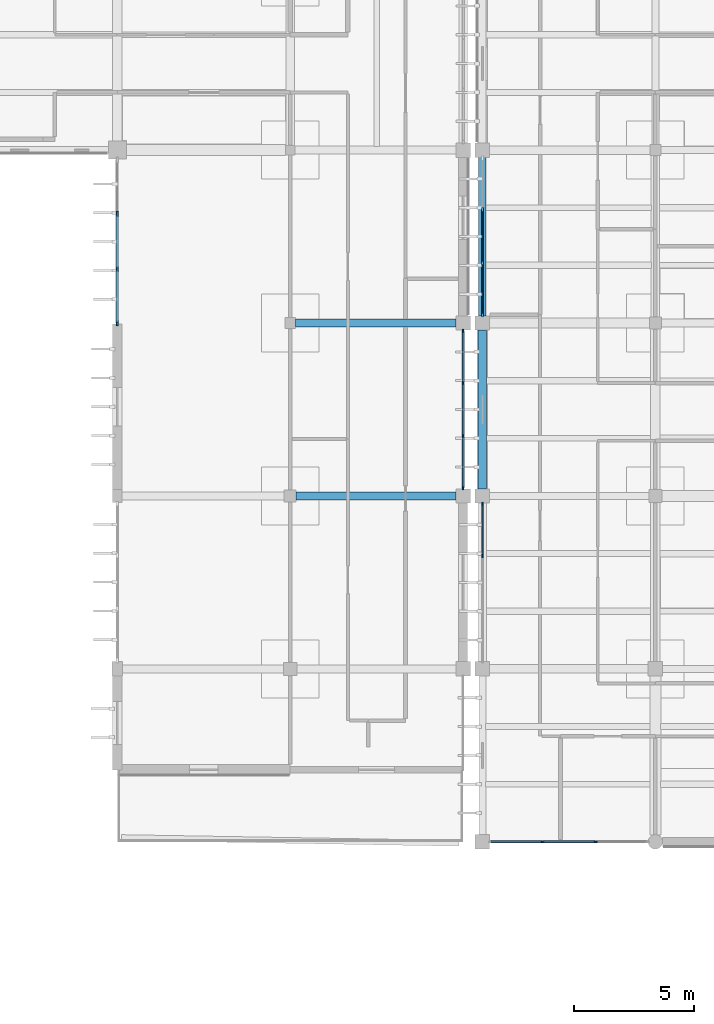
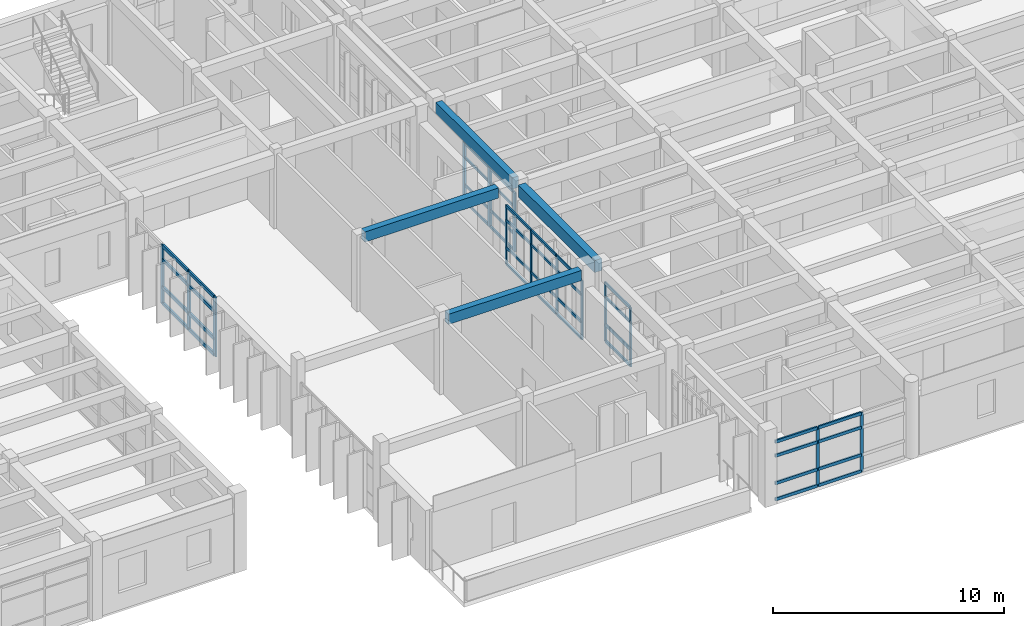
# One storey, part 10 of 55: 54 members, 4 beams, 5 elements without a shape of their own.
"""IFC4 building model written with IfcOpenShell, lengths in metres."""

from ifc_helpers import new_model, si_unit, direction, frame, origin, origin_2d, place, context, subcontext, project, spatial, rectangle, extrude, material, material_profile, profile_set, type_object, element, aggregate, save


model = new_model("IFC4")

# Units and contexts
model_context = context("Model", 3, precision=1e-05, world=origin(), true_north=direction((0.0, 1.0)))
body_context = subcontext(model_context, "Body", "Model", "MODEL_VIEW")
ifc_project = project(units=[si_unit("LENGTHUNIT", "METRE"), si_unit("AREAUNIT", "SQUARE_METRE"), si_unit("VOLUMEUNIT", "CUBIC_METRE"), si_unit("PLANEANGLEUNIT", "RADIAN"), si_unit("MASSUNIT", "GRAM", prefix="KILO")], contexts=[model_context])

# Site, building, storey
site_placement = place(None, origin())
site = spatial("IfcSite", under=ifc_project, at=site_placement, CompositionType="ELEMENT")
building_placement = place(site_placement, origin())
building = spatial("IfcBuilding", under=site, at=building_placement, Name="Steenspoor Specialist Clinic", CompositionType="ELEMENT")
storey_placement = place(building_placement, frame((0.0, 0.0, 13.199951171875)))
storey = spatial("IfcBuildingStorey", under=building, at=storey_placement, Name="L03", CompositionType="ELEMENT", Elevation=13.199951171875)

# Curtain wall, members
ifc_material_1 = material(Name="Thermally broken aluminium and low-emissivity glass", Category="aluminium")
curtain_wall_type_1 = type_object("IfcCurtainWallType", Name="CW-L00-660X415", PredefinedType="USERDEFINED", material=ifc_material_1)
curtain_wall_1_placement = place(storey_placement, origin())
curtain_wall_1 = element("IfcCurtainWall", 1, at=curtain_wall_1_placement, inside=storey, type_object=curtain_wall_type_1, Name="Unitised Curtain Wall CW-V6-L03-196", ObjectType="UNITISED GLAZING", PredefinedType="USERDEFINED")
ifc_material_2 = material(Name="Thermally broken aluminium 6063-T6", Category="aluminium")
ifc_material_profile_1 = material_profile(ifc_material_2, rectangle(XDim=0.06005859375, YDim=0.135009765625, at=origin_2d()), Name="CWM-60X135")
ifc_profile_set_1 = profile_set([ifc_material_profile_1], Name="Thermally broken aluminium 6063-T6")
member_type_1 = type_object("IfcMemberType", Name="CW-MULL-60X135", PredefinedType="MULLION", material=ifc_profile_set_1)
member_1_placement = place(storey_placement, frame((118.0, 77.050048828125, 0.0), z_axis=(0.0, 0.0, 1.0), x_axis=(-1.0, 0.0, 0.0)))
member_1 = element("IfcMember", 2, at=member_1_placement, type_object=member_type_1, Name="CW-04 mullion 3", PredefinedType="MULLION", context=body_context, shape_type="SweptSolid", body=[
    extrude(rectangle(XDim=0.06005859375, YDim=0.135009765625, at=origin_2d()), origin(), (0.0, 0.0, 1.0), 3.130126953125),
])
member_2_placement = place(storey_placement, frame((118.0, 79.219970703125, 0.0), z_axis=(0.0, 0.0, 1.0), x_axis=(-1.0, 0.0, 0.0)))
member_2 = element("IfcMember", 3, at=member_2_placement, type_object=member_type_1, Name="CW-04 mullion 4", PredefinedType="MULLION", context=body_context, shape_type="SweptSolid", body=[
    extrude(rectangle(XDim=0.06005859375, YDim=0.135009765625, at=origin_2d()), origin(), (0.0, 0.0, 1.0), 3.130126953125),
])

curtain_wall_type_2 = type_object("IfcCurtainWallType", Name="CW-TYP-300X355", PredefinedType="USERDEFINED", material=ifc_material_1)
curtain_wall_2_placement = place(storey_placement, origin())
curtain_wall_2 = element("IfcCurtainWall", 4, at=curtain_wall_2_placement, inside=storey, type_object=curtain_wall_type_2, Name="Unitised Curtain Wall CW-V4-L03-111", ObjectType="UNITISED GLAZING", PredefinedType="USERDEFINED")
ifc_material_profile_2 = material_profile(ifc_material_2, rectangle(XDim=0.06494140625, YDim=0.14990234375, at=origin_2d()), Name="CWM-65X150")
ifc_profile_set_2 = profile_set([ifc_material_profile_2], Name="Thermally broken aluminium 6063-T6")
member_type_2 = type_object("IfcMemberType", Name="CW-MULL-65X150", PredefinedType="MULLION", material=ifc_profile_set_2)
member_3_placement = place(storey_placement, frame((117.199951171875, 86.41748046875, 0.0), z_axis=(0.0, 0.0, 1.0), x_axis=(1.0, 0.0, 0.0)))
member_3 = element("IfcMember", 5, at=member_3_placement, type_object=member_type_2, Name="CW-15 mullion 1", PredefinedType="MULLION", context=body_context, shape_type="SweptSolid", body=[
    extrude(rectangle(XDim=0.06494140625, YDim=0.14990234375, at=origin_2d()), origin(), (0.0, 0.0, 1.0), 3.130126953125),
])
member_4_placement = place(storey_placement, frame((117.199951171875, 84.25, 0.0), z_axis=(0.0, 0.0, 1.0), x_axis=(1.0, 0.0, 0.0)))
member_4 = element("IfcMember", 6, at=member_4_placement, type_object=member_type_2, Name="CW-15 mullion 2", PredefinedType="MULLION", context=body_context, shape_type="SweptSolid", body=[
    extrude(rectangle(XDim=0.06494140625, YDim=0.14990234375, at=origin_2d()), origin(), (0.0, 0.0, 1.0), 3.130126953125),
])
member_5_placement = place(storey_placement, frame((117.199951171875, 82.050048828125, 0.0), z_axis=(0.0, 0.0, 1.0), x_axis=(1.0, 0.0, 0.0)))
member_5 = element("IfcMember", 7, at=member_5_placement, type_object=member_type_2, Name="CW-15 mullion 3", PredefinedType="MULLION", context=body_context, shape_type="SweptSolid", body=[
    extrude(rectangle(XDim=0.06494140625, YDim=0.14990234375, at=origin_2d()), origin(), (0.0, 0.0, 1.0), 3.130126953125),
])
member_6_placement = place(storey_placement, frame((117.199951171875, 79.882568359375, 0.0), z_axis=(0.0, 0.0, 1.0), x_axis=(1.0, 0.0, 0.0)))
member_6 = element("IfcMember", 8, at=member_6_placement, type_object=member_type_2, Name="CW-15 mullion 4", PredefinedType="MULLION", context=body_context, shape_type="SweptSolid", body=[
    extrude(rectangle(XDim=0.06494140625, YDim=0.14990234375, at=origin_2d()), origin(), (0.0, 0.0, 1.0), 3.130126953125),
])

curtain_wall_type_3 = type_object("IfcCurtainWallType", Name="CW-HALL-480X820", PredefinedType="USERDEFINED", material=ifc_material_1)
curtain_wall_3_placement = place(storey_placement, origin())
curtain_wall_3 = element("IfcCurtainWall", 9, at=curtain_wall_3_placement, inside=storey, type_object=curtain_wall_type_3, Name="Unitised Curtain Wall CW-V6-L03-195", ObjectType="UNITISED GLAZING", PredefinedType="USERDEFINED")
member_7_placement = place(storey_placement, frame((122.699951171875, 65.14990234375, 0.0), z_axis=(0.0, 0.0, 1.0), x_axis=(0.0, -1.0, 0.0)))
member_7 = element("IfcMember", 10, at=member_7_placement, type_object=member_type_2, Name="CW-03 mullion 2", PredefinedType="MULLION", context=body_context, shape_type="SweptSolid", body=[
    extrude(rectangle(XDim=0.06494140625, YDim=0.14990234375, at=origin_2d()), origin(), (0.0, 0.0, 1.0), 3.130126953125),
])
member_8_placement = place(storey_placement, frame((120.5, 65.14990234375, 0.0), z_axis=(0.0, 0.0, 1.0), x_axis=(0.0, -1.0, 0.0)))
member_8 = element("IfcMember", 11, at=member_8_placement, type_object=member_type_2, Name="CW-03 mullion 3", PredefinedType="MULLION", context=body_context, shape_type="SweptSolid", body=[
    extrude(rectangle(XDim=0.06494140625, YDim=0.14990234375, at=origin_2d()), origin(), (0.0, 0.0, 1.0), 3.130126953125),
])

curtain_wall_type_4 = type_object("IfcCurtainWallType", Name="CW-SCR-480X320", PredefinedType="USERDEFINED", material=ifc_material_1)
curtain_wall_4_placement = place(storey_placement, origin())
curtain_wall_4 = element("IfcCurtainWall", 12, at=curtain_wall_4_placement, inside=storey, type_object=curtain_wall_type_4, Name="Unitised Curtain Wall CW-V4-L03-114", ObjectType="UNITISED GLAZING", PredefinedType="USERDEFINED")
ifc_material_profile_3 = material_profile(ifc_material_2, rectangle(XDim=0.080078125, YDim=0.219970703125, at=origin_2d()), Name="CWM-80X220")
ifc_profile_set_3 = profile_set([ifc_material_profile_3], Name="Thermally broken aluminium 6063-T6")
member_type_3 = type_object("IfcMemberType", Name="CW-MULL-80X220", PredefinedType="MULLION", material=ifc_profile_set_3)
member_9_placement = place(storey_placement, frame((102.800048828125, 86.739990234375, 0.0), z_axis=(0.0, 0.0, 1.0), x_axis=(-1.0, 0.0, 0.0)))
member_9 = element("IfcMember", 13, at=member_9_placement, type_object=member_type_3, Name="CW-18 mullion 1", PredefinedType="MULLION", context=body_context, shape_type="SweptSolid", body=[
    extrude(rectangle(XDim=0.080078125, YDim=0.219970703125, at=origin_2d()), origin(), (0.0, 0.0, 1.0), 3.130126953125),
])
member_10_placement = place(storey_placement, frame((102.800048828125, 88.99169921875, 0.0), z_axis=(0.0, 0.0, 1.0), x_axis=(-1.0, 0.0, 0.0)))
member_10 = element("IfcMember", 14, at=member_10_placement, type_object=member_type_3, Name="CW-18 mullion 2", PredefinedType="MULLION", context=body_context, shape_type="SweptSolid", body=[
    extrude(rectangle(XDim=0.080078125, YDim=0.219970703125, at=origin_2d()), origin(), (0.0, 0.0, 1.0), 3.130126953125),
])
member_11_placement = place(storey_placement, frame((102.800048828125, 91.283447265625, 0.0), z_axis=(0.0, 0.0, 1.0), x_axis=(-1.0, 0.0, 0.0)))
member_11 = element("IfcMember", 15, at=member_11_placement, type_object=member_type_3, Name="CW-18 mullion 3", PredefinedType="MULLION", context=body_context, shape_type="SweptSolid", body=[
    extrude(rectangle(XDim=0.080078125, YDim=0.219970703125, at=origin_2d()), origin(), (0.0, 0.0, 1.0), 3.130126953125),
])

curtain_wall_type_5 = type_object("IfcCurtainWallType", Name="CW-L00-650X415", PredefinedType="USERDEFINED", material=ifc_material_1)
curtain_wall_5_placement = place(storey_placement, origin())
curtain_wall_5 = element("IfcCurtainWall", 16, at=curtain_wall_5_placement, inside=storey, type_object=curtain_wall_type_5, Name="Unitised Curtain Wall CW-V6-L03-197", ObjectType="UNITISED GLAZING", PredefinedType="USERDEFINED")
ifc_material_profile_4 = material_profile(ifc_material_2, rectangle(XDim=0.090087890625, YDim=0.199951171875, at=origin_2d()), Name="CWM-90X200")
ifc_profile_set_4 = profile_set([ifc_material_profile_4], Name="Thermally broken aluminium 6063-T6")
member_type_4 = type_object("IfcMemberType", Name="CW-MULL-90X200", PredefinedType="MULLION", material=ifc_profile_set_4)
member_12_placement = place(storey_placement, frame((118.0, 87.094970703125, 0.0), z_axis=(0.0, 0.0, 1.0), x_axis=(-1.0, 0.0, 0.0)))
member_12 = element("IfcMember", 17, at=member_12_placement, type_object=member_type_4, Name="CW-05 mullion 1", PredefinedType="MULLION", context=body_context, shape_type="SweptSolid", body=[
    extrude(rectangle(XDim=0.090087890625, YDim=0.199951171875, at=origin_2d()), origin(), (0.0, 0.0, 1.0), 3.130126953125),
])
member_13_placement = place(storey_placement, frame((118.0, 89.25, 0.0), z_axis=(0.0, 0.0, 1.0), x_axis=(-1.0, 0.0, 0.0)))
member_13 = element("IfcMember", 18, at=member_13_placement, type_object=member_type_4, Name="CW-05 mullion 2", PredefinedType="MULLION", context=body_context, shape_type="SweptSolid", body=[
    extrude(rectangle(XDim=0.090087890625, YDim=0.199951171875, at=origin_2d()), origin(), (0.0, 0.0, 1.0), 3.130126953125),
])
member_14_placement = place(storey_placement, frame((118.0, 91.449951171875, 0.0), z_axis=(0.0, 0.0, 1.0), x_axis=(-1.0, 0.0, 0.0)))
member_14 = element("IfcMember", 19, at=member_14_placement, type_object=member_type_4, Name="CW-05 mullion 3", PredefinedType="MULLION", context=body_context, shape_type="SweptSolid", body=[
    extrude(rectangle(XDim=0.090087890625, YDim=0.199951171875, at=origin_2d()), origin(), (0.0, 0.0, 1.0), 3.130126953125),
])
ifc_material_profile_5 = material_profile(ifc_material_2, rectangle(XDim=0.06494140625, YDim=0.1298828125, at=origin_2d()), Name="CWT-65X130")
ifc_profile_set_5 = profile_set([ifc_material_profile_5], Name="Thermally broken aluminium 6063-T6")
member_type_5 = type_object("IfcMemberType", Name="CW-TRAN-65X130", PredefinedType="USERDEFINED", material=ifc_profile_set_5)
member_15_placement = place(storey_placement, frame((118.0, 87.139892578125, 0.032470703125), z_axis=(0.0, 1.0, 0.0), x_axis=(-1.0, 0.0, 0.0)))
member_15 = element("IfcMember", 20, at=member_15_placement, type_object=member_type_5, Name="CW-05 transom 1.1", ObjectType="TRANSOM", PredefinedType="USERDEFINED", context=body_context, shape_type="SweptSolid", body=[
    extrude(rectangle(XDim=0.06494140625, YDim=0.1298828125, at=origin_2d()), origin(), (0.0, 0.0, 1.0), 2.065185546875),
])
member_16_placement = place(storey_placement, frame((118.0, 87.139892578125, 0.900146484375), z_axis=(0.0, 1.0, 0.0), x_axis=(-1.0, 0.0, 0.0)))
member_16 = element("IfcMember", 21, at=member_16_placement, type_object=member_type_5, Name="CW-05 transom 1.2", ObjectType="TRANSOM", PredefinedType="USERDEFINED", context=body_context, shape_type="SweptSolid", body=[
    extrude(rectangle(XDim=0.06494140625, YDim=0.1298828125, at=origin_2d()), origin(), (0.0, 0.0, 1.0), 2.065185546875),
])
member_17_placement = place(storey_placement, frame((118.0, 87.139892578125, 2.35009765625), z_axis=(0.0, 1.0, 0.0), x_axis=(-1.0, 0.0, 0.0)))
member_17 = element("IfcMember", 22, at=member_17_placement, type_object=member_type_5, Name="CW-05 transom 1.3", ObjectType="TRANSOM", PredefinedType="USERDEFINED", context=body_context, shape_type="SweptSolid", body=[
    extrude(rectangle(XDim=0.06494140625, YDim=0.1298828125, at=origin_2d()), origin(), (0.0, 0.0, 1.0), 2.065185546875),
])
member_18_placement = place(storey_placement, frame((118.0, 87.139892578125, 3.09765625), z_axis=(0.0, 1.0, 0.0), x_axis=(-1.0, 0.0, 0.0)))
member_18 = element("IfcMember", 23, at=member_18_placement, type_object=member_type_5, Name="CW-05 transom 1.4", ObjectType="TRANSOM", PredefinedType="USERDEFINED", context=body_context, shape_type="SweptSolid", body=[
    extrude(rectangle(XDim=0.06494140625, YDim=0.1298828125, at=origin_2d()), origin(), (0.0, 0.0, 1.0), 2.065185546875),
])
member_19_placement = place(storey_placement, frame((118.0, 89.294921875, 0.032470703125), z_axis=(0.0, 1.0, 0.0), x_axis=(-1.0, 0.0, 0.0)))
member_19 = element("IfcMember", 24, at=member_19_placement, type_object=member_type_5, Name="CW-05 transom 2.1", ObjectType="TRANSOM", PredefinedType="USERDEFINED", context=body_context, shape_type="SweptSolid", body=[
    extrude(rectangle(XDim=0.06494140625, YDim=0.1298828125, at=origin_2d()), origin(), (0.0, 0.0, 1.0), 2.110107421875),
])
member_20_placement = place(storey_placement, frame((118.0, 89.294921875, 0.900146484375), z_axis=(0.0, 1.0, 0.0), x_axis=(-1.0, 0.0, 0.0)))
member_20 = element("IfcMember", 25, at=member_20_placement, type_object=member_type_5, Name="CW-05 transom 2.2", ObjectType="TRANSOM", PredefinedType="USERDEFINED", context=body_context, shape_type="SweptSolid", body=[
    extrude(rectangle(XDim=0.06494140625, YDim=0.1298828125, at=origin_2d()), origin(), (0.0, 0.0, 1.0), 2.110107421875),
])
member_21_placement = place(storey_placement, frame((118.0, 89.294921875, 2.35009765625), z_axis=(0.0, 1.0, 0.0), x_axis=(-1.0, 0.0, 0.0)))
member_21 = element("IfcMember", 26, at=member_21_placement, type_object=member_type_5, Name="CW-05 transom 2.3", ObjectType="TRANSOM", PredefinedType="USERDEFINED", context=body_context, shape_type="SweptSolid", body=[
    extrude(rectangle(XDim=0.06494140625, YDim=0.1298828125, at=origin_2d()), origin(), (0.0, 0.0, 1.0), 2.110107421875),
])
member_22_placement = place(storey_placement, frame((118.0, 89.294921875, 3.09765625), z_axis=(0.0, 1.0, 0.0), x_axis=(-1.0, 0.0, 0.0)))
member_22 = element("IfcMember", 27, at=member_22_placement, type_object=member_type_5, Name="CW-05 transom 2.4", ObjectType="TRANSOM", PredefinedType="USERDEFINED", context=body_context, shape_type="SweptSolid", body=[
    extrude(rectangle(XDim=0.06494140625, YDim=0.1298828125, at=origin_2d()), origin(), (0.0, 0.0, 1.0), 2.110107421875),
])
aggregate(curtain_wall_5, [member_12, member_13, member_14, member_15, member_16, member_17, member_18, member_19, member_20, member_21, member_22])

# Member
ifc_material_profile_6 = material_profile(ifc_material_2, rectangle(XDim=0.070068359375, YDim=0.14501953125, at=origin_2d()), Name="CWT-70X145")
ifc_profile_set_6 = profile_set([ifc_material_profile_6], Name="Thermally broken aluminium 6063-T6")
member_type_6 = type_object("IfcMemberType", Name="CW-TRAN-70X145", PredefinedType="USERDEFINED", material=ifc_profile_set_6)
member_23_placement = place(storey_placement, frame((117.199951171875, 86.385009765625, 0.03515625), z_axis=(0.0, -1.0, 0.0), x_axis=(1.0, 0.0, 0.0)))
member_23 = element("IfcMember", 28, at=member_23_placement, type_object=member_type_6, Name="CW-15 transom 1.1", ObjectType="TRANSOM", PredefinedType="USERDEFINED", context=body_context, shape_type="SweptSolid", body=[
    extrude(rectangle(XDim=0.070068359375, YDim=0.14501953125, at=origin_2d()), origin(), (0.0, 0.0, 1.0), 2.1025390625),
])

member_24_placement = place(storey_placement, frame((117.199951171875, 86.385009765625, 0.900146484375), z_axis=(0.0, -1.0, 0.0), x_axis=(1.0, 0.0, 0.0)))
member_24 = element("IfcMember", 29, at=member_24_placement, type_object=member_type_6, Name="CW-15 transom 1.2", ObjectType="TRANSOM", PredefinedType="USERDEFINED", context=body_context, shape_type="SweptSolid", body=[
    extrude(rectangle(XDim=0.070068359375, YDim=0.14501953125, at=origin_2d()), origin(), (0.0, 0.0, 1.0), 2.1025390625),
])

member_25_placement = place(storey_placement, frame((117.199951171875, 86.385009765625, 2.35009765625), z_axis=(0.0, -1.0, 0.0), x_axis=(1.0, 0.0, 0.0)))
member_25 = element("IfcMember", 30, at=member_25_placement, type_object=member_type_6, Name="CW-15 transom 1.3", ObjectType="TRANSOM", PredefinedType="USERDEFINED", context=body_context, shape_type="SweptSolid", body=[
    extrude(rectangle(XDim=0.070068359375, YDim=0.14501953125, at=origin_2d()), origin(), (0.0, 0.0, 1.0), 2.1025390625),
])

member_26_placement = place(storey_placement, frame((117.199951171875, 86.385009765625, 3.094970703125), z_axis=(0.0, -1.0, 0.0), x_axis=(1.0, 0.0, 0.0)))
member_26 = element("IfcMember", 31, at=member_26_placement, type_object=member_type_6, Name="CW-15 transom 1.4", ObjectType="TRANSOM", PredefinedType="USERDEFINED", context=body_context, shape_type="SweptSolid", body=[
    extrude(rectangle(XDim=0.070068359375, YDim=0.14501953125, at=origin_2d()), origin(), (0.0, 0.0, 1.0), 2.1025390625),
])

member_27_placement = place(storey_placement, frame((117.199951171875, 84.217529296875, 0.03515625), z_axis=(0.0, -1.0, 0.0), x_axis=(1.0, 0.0, 0.0)))
member_27 = element("IfcMember", 32, at=member_27_placement, type_object=member_type_6, Name="CW-15 transom 2.1", ObjectType="TRANSOM", PredefinedType="USERDEFINED", context=body_context, shape_type="SweptSolid", body=[
    extrude(rectangle(XDim=0.070068359375, YDim=0.14501953125, at=origin_2d()), origin(), (0.0, 0.0, 1.0), 2.135009765625),
])

member_28_placement = place(storey_placement, frame((117.199951171875, 84.217529296875, 0.900146484375), z_axis=(0.0, -1.0, 0.0), x_axis=(1.0, 0.0, 0.0)))
member_28 = element("IfcMember", 33, at=member_28_placement, type_object=member_type_6, Name="CW-15 transom 2.2", ObjectType="TRANSOM", PredefinedType="USERDEFINED", context=body_context, shape_type="SweptSolid", body=[
    extrude(rectangle(XDim=0.070068359375, YDim=0.14501953125, at=origin_2d()), origin(), (0.0, 0.0, 1.0), 2.135009765625),
])

member_29_placement = place(storey_placement, frame((117.199951171875, 84.217529296875, 2.35009765625), z_axis=(0.0, -1.0, 0.0), x_axis=(1.0, 0.0, 0.0)))
member_29 = element("IfcMember", 34, at=member_29_placement, type_object=member_type_6, Name="CW-15 transom 2.3", ObjectType="TRANSOM", PredefinedType="USERDEFINED", context=body_context, shape_type="SweptSolid", body=[
    extrude(rectangle(XDim=0.070068359375, YDim=0.14501953125, at=origin_2d()), origin(), (0.0, 0.0, 1.0), 2.135009765625),
])

member_30_placement = place(storey_placement, frame((117.199951171875, 84.217529296875, 3.094970703125), z_axis=(0.0, -1.0, 0.0), x_axis=(1.0, 0.0, 0.0)))
member_30 = element("IfcMember", 35, at=member_30_placement, type_object=member_type_6, Name="CW-15 transom 2.4", ObjectType="TRANSOM", PredefinedType="USERDEFINED", context=body_context, shape_type="SweptSolid", body=[
    extrude(rectangle(XDim=0.070068359375, YDim=0.14501953125, at=origin_2d()), origin(), (0.0, 0.0, 1.0), 2.135009765625),
])

member_31_placement = place(storey_placement, frame((117.199951171875, 82.017578125, 0.03515625), z_axis=(0.0, -1.0, 0.0), x_axis=(1.0, 0.0, 0.0)))
member_31 = element("IfcMember", 36, at=member_31_placement, type_object=member_type_6, Name="CW-15 transom 3.1", ObjectType="TRANSOM", PredefinedType="USERDEFINED", context=body_context, shape_type="SweptSolid", body=[
    extrude(rectangle(XDim=0.070068359375, YDim=0.14501953125, at=origin_2d()), origin(), (0.0, 0.0, 1.0), 2.1025390625),
])

member_32_placement = place(storey_placement, frame((117.199951171875, 82.017578125, 0.900146484375), z_axis=(0.0, -1.0, 0.0), x_axis=(1.0, 0.0, 0.0)))
member_32 = element("IfcMember", 37, at=member_32_placement, type_object=member_type_6, Name="CW-15 transom 3.2", ObjectType="TRANSOM", PredefinedType="USERDEFINED", context=body_context, shape_type="SweptSolid", body=[
    extrude(rectangle(XDim=0.070068359375, YDim=0.14501953125, at=origin_2d()), origin(), (0.0, 0.0, 1.0), 2.1025390625),
])

member_33_placement = place(storey_placement, frame((117.199951171875, 82.017578125, 2.35009765625), z_axis=(0.0, -1.0, 0.0), x_axis=(1.0, 0.0, 0.0)))
member_33 = element("IfcMember", 38, at=member_33_placement, type_object=member_type_6, Name="CW-15 transom 3.3", ObjectType="TRANSOM", PredefinedType="USERDEFINED", context=body_context, shape_type="SweptSolid", body=[
    extrude(rectangle(XDim=0.070068359375, YDim=0.14501953125, at=origin_2d()), origin(), (0.0, 0.0, 1.0), 2.1025390625),
])

member_34_placement = place(storey_placement, frame((117.199951171875, 82.017578125, 3.094970703125), z_axis=(0.0, -1.0, 0.0), x_axis=(1.0, 0.0, 0.0)))
member_34 = element("IfcMember", 39, at=member_34_placement, type_object=member_type_6, Name="CW-15 transom 3.4", ObjectType="TRANSOM", PredefinedType="USERDEFINED", context=body_context, shape_type="SweptSolid", body=[
    extrude(rectangle(XDim=0.070068359375, YDim=0.14501953125, at=origin_2d()), origin(), (0.0, 0.0, 1.0), 2.1025390625),
])

aggregate(curtain_wall_2, [member_3, member_4, member_5, member_6, member_23, member_24, member_25, member_26, member_27, member_28, member_29, member_30, member_31, member_32, member_33, member_34])

member_35_placement = place(storey_placement, frame((118.0, 77.080078125, 0.03515625), z_axis=(0.0, 1.0, 0.0), x_axis=(-1.0, 0.0, 0.0)))
member_35 = element("IfcMember", 40, at=member_35_placement, type_object=member_type_6, Name="CW-04 transom 3.1", ObjectType="TRANSOM", PredefinedType="USERDEFINED", context=body_context, shape_type="SweptSolid", body=[
    extrude(rectangle(XDim=0.070068359375, YDim=0.14501953125, at=origin_2d()), origin(), (0.0, 0.0, 1.0), 2.10986328125),
])

member_36_placement = place(storey_placement, frame((118.0, 77.080078125, 0.900146484375), z_axis=(0.0, 1.0, 0.0), x_axis=(-1.0, 0.0, 0.0)))
member_36 = element("IfcMember", 41, at=member_36_placement, type_object=member_type_6, Name="CW-04 transom 3.2", ObjectType="TRANSOM", PredefinedType="USERDEFINED", context=body_context, shape_type="SweptSolid", body=[
    extrude(rectangle(XDim=0.070068359375, YDim=0.14501953125, at=origin_2d()), origin(), (0.0, 0.0, 1.0), 2.10986328125),
])

member_37_placement = place(storey_placement, frame((118.0, 77.080078125, 2.35009765625), z_axis=(0.0, 1.0, 0.0), x_axis=(-1.0, 0.0, 0.0)))
member_37 = element("IfcMember", 42, at=member_37_placement, type_object=member_type_6, Name="CW-04 transom 3.3", ObjectType="TRANSOM", PredefinedType="USERDEFINED", context=body_context, shape_type="SweptSolid", body=[
    extrude(rectangle(XDim=0.070068359375, YDim=0.14501953125, at=origin_2d()), origin(), (0.0, 0.0, 1.0), 2.10986328125),
])

member_38_placement = place(storey_placement, frame((118.0, 77.080078125, 3.094970703125), z_axis=(0.0, 1.0, 0.0), x_axis=(-1.0, 0.0, 0.0)))
member_38 = element("IfcMember", 43, at=member_38_placement, type_object=member_type_6, Name="CW-04 transom 3.4", ObjectType="TRANSOM", PredefinedType="USERDEFINED", context=body_context, shape_type="SweptSolid", body=[
    extrude(rectangle(XDim=0.070068359375, YDim=0.14501953125, at=origin_2d()), origin(), (0.0, 0.0, 1.0), 2.10986328125),
])

aggregate(curtain_wall_1, [member_1, member_2, member_35, member_36, member_37, member_38])

ifc_material_profile_7 = material_profile(ifc_material_2, rectangle(XDim=0.080078125, YDim=0.159912109375, at=origin_2d()), Name="CWT-80X160")
ifc_profile_set_7 = profile_set([ifc_material_profile_7], Name="Thermally broken aluminium 6063-T6")
member_type_7 = type_object("IfcMemberType", Name="CW-TRAN-80X160", PredefinedType="USERDEFINED", material=ifc_profile_set_7)
member_39_placement = place(storey_placement, frame((122.66748046875, 65.14990234375, 0.0400390625), z_axis=(-1.0, 0.0, 0.0), x_axis=(0.0, -1.0, 0.0)))
member_39 = element("IfcMember", 44, at=member_39_placement, type_object=member_type_7, Name="CW-03 transom 2.1", ObjectType="TRANSOM", PredefinedType="USERDEFINED", context=body_context, shape_type="SweptSolid", body=[
    extrude(rectangle(XDim=0.080078125, YDim=0.159912109375, at=origin_2d()), origin(), (0.0, 0.0, 1.0), 2.135009765625),
])

member_40_placement = place(storey_placement, frame((122.66748046875, 65.14990234375, 0.900146484375), z_axis=(-1.0, 0.0, 0.0), x_axis=(0.0, -1.0, 0.0)))
member_40 = element("IfcMember", 45, at=member_40_placement, type_object=member_type_7, Name="CW-03 transom 2.2", ObjectType="TRANSOM", PredefinedType="USERDEFINED", context=body_context, shape_type="SweptSolid", body=[
    extrude(rectangle(XDim=0.080078125, YDim=0.159912109375, at=origin_2d()), origin(), (0.0, 0.0, 1.0), 2.135009765625),
])

member_41_placement = place(storey_placement, frame((122.66748046875, 65.14990234375, 2.35009765625), z_axis=(-1.0, 0.0, 0.0), x_axis=(0.0, -1.0, 0.0)))
member_41 = element("IfcMember", 46, at=member_41_placement, type_object=member_type_7, Name="CW-03 transom 2.3", ObjectType="TRANSOM", PredefinedType="USERDEFINED", context=body_context, shape_type="SweptSolid", body=[
    extrude(rectangle(XDim=0.080078125, YDim=0.159912109375, at=origin_2d()), origin(), (0.0, 0.0, 1.0), 2.135009765625),
])

member_42_placement = place(storey_placement, frame((122.66748046875, 65.14990234375, 3.090087890625), z_axis=(-1.0, 0.0, 0.0), x_axis=(0.0, -1.0, 0.0)))
member_42 = element("IfcMember", 47, at=member_42_placement, type_object=member_type_7, Name="CW-03 transom 2.4", ObjectType="TRANSOM", PredefinedType="USERDEFINED", context=body_context, shape_type="SweptSolid", body=[
    extrude(rectangle(XDim=0.080078125, YDim=0.159912109375, at=origin_2d()), origin(), (0.0, 0.0, 1.0), 2.135009765625),
])

member_43_placement = place(storey_placement, frame((120.467529296875, 65.14990234375, 0.0400390625), z_axis=(-1.0, 0.0, 0.0), x_axis=(0.0, -1.0, 0.0)))
member_43 = element("IfcMember", 48, at=member_43_placement, type_object=member_type_7, Name="CW-03 transom 3.1", ObjectType="TRANSOM", PredefinedType="USERDEFINED", context=body_context, shape_type="SweptSolid", body=[
    extrude(rectangle(XDim=0.080078125, YDim=0.159912109375, at=origin_2d()), origin(), (0.0, 0.0, 1.0), 2.1025390625),
])

member_44_placement = place(storey_placement, frame((120.467529296875, 65.14990234375, 0.900146484375), z_axis=(-1.0, 0.0, 0.0), x_axis=(0.0, -1.0, 0.0)))
member_44 = element("IfcMember", 49, at=member_44_placement, type_object=member_type_7, Name="CW-03 transom 3.2", ObjectType="TRANSOM", PredefinedType="USERDEFINED", context=body_context, shape_type="SweptSolid", body=[
    extrude(rectangle(XDim=0.080078125, YDim=0.159912109375, at=origin_2d()), origin(), (0.0, 0.0, 1.0), 2.1025390625),
])

member_45_placement = place(storey_placement, frame((120.467529296875, 65.14990234375, 2.35009765625), z_axis=(-1.0, 0.0, 0.0), x_axis=(0.0, -1.0, 0.0)))
member_45 = element("IfcMember", 50, at=member_45_placement, type_object=member_type_7, Name="CW-03 transom 3.3", ObjectType="TRANSOM", PredefinedType="USERDEFINED", context=body_context, shape_type="SweptSolid", body=[
    extrude(rectangle(XDim=0.080078125, YDim=0.159912109375, at=origin_2d()), origin(), (0.0, 0.0, 1.0), 2.1025390625),
])

member_46_placement = place(storey_placement, frame((120.467529296875, 65.14990234375, 3.090087890625), z_axis=(-1.0, 0.0, 0.0), x_axis=(0.0, -1.0, 0.0)))
member_46 = element("IfcMember", 51, at=member_46_placement, type_object=member_type_7, Name="CW-03 transom 3.4", ObjectType="TRANSOM", PredefinedType="USERDEFINED", context=body_context, shape_type="SweptSolid", body=[
    extrude(rectangle(XDim=0.080078125, YDim=0.159912109375, at=origin_2d()), origin(), (0.0, 0.0, 1.0), 2.1025390625),
])

aggregate(curtain_wall_3, [member_7, member_8, member_39, member_40, member_41, member_42, member_43, member_44, member_45, member_46])

ifc_material_profile_8 = material_profile(ifc_material_2, rectangle(XDim=0.090087890625, YDim=0.175048828125, at=origin_2d()), Name="CWT-90X175")
ifc_profile_set_8 = profile_set([ifc_material_profile_8], Name="Thermally broken aluminium 6063-T6")
member_type_8 = type_object("IfcMemberType", Name="CW-TRAN-90X175", PredefinedType="USERDEFINED", material=ifc_profile_set_8)
member_47_placement = place(storey_placement, frame((102.800048828125, 86.780029296875, 0.045166015625), z_axis=(0.0, 1.0, 0.0), x_axis=(-1.0, 0.0, 0.0)))
member_47 = element("IfcMember", 52, at=member_47_placement, type_object=member_type_8, Name="CW-18 transom 1.1", ObjectType="TRANSOM", PredefinedType="USERDEFINED", context=body_context, shape_type="SweptSolid", body=[
    extrude(rectangle(XDim=0.090087890625, YDim=0.175048828125, at=origin_2d()), origin(), (0.0, 0.0, 1.0), 2.171630859375),
])

member_48_placement = place(storey_placement, frame((102.800048828125, 86.780029296875, 0.900146484375), z_axis=(0.0, 1.0, 0.0), x_axis=(-1.0, 0.0, 0.0)))
member_48 = element("IfcMember", 53, at=member_48_placement, type_object=member_type_8, Name="CW-18 transom 1.2", ObjectType="TRANSOM", PredefinedType="USERDEFINED", context=body_context, shape_type="SweptSolid", body=[
    extrude(rectangle(XDim=0.090087890625, YDim=0.175048828125, at=origin_2d()), origin(), (0.0, 0.0, 1.0), 2.171630859375),
])

member_49_placement = place(storey_placement, frame((102.800048828125, 86.780029296875, 2.35009765625), z_axis=(0.0, 1.0, 0.0), x_axis=(-1.0, 0.0, 0.0)))
member_49 = element("IfcMember", 54, at=member_49_placement, type_object=member_type_8, Name="CW-18 transom 1.3", ObjectType="TRANSOM", PredefinedType="USERDEFINED", context=body_context, shape_type="SweptSolid", body=[
    extrude(rectangle(XDim=0.090087890625, YDim=0.175048828125, at=origin_2d()), origin(), (0.0, 0.0, 1.0), 2.171630859375),
])

member_50_placement = place(storey_placement, frame((102.800048828125, 86.780029296875, 3.0849609375), z_axis=(0.0, 1.0, 0.0), x_axis=(-1.0, 0.0, 0.0)))
member_50 = element("IfcMember", 55, at=member_50_placement, type_object=member_type_8, Name="CW-18 transom 1.4", ObjectType="TRANSOM", PredefinedType="USERDEFINED", context=body_context, shape_type="SweptSolid", body=[
    extrude(rectangle(XDim=0.090087890625, YDim=0.175048828125, at=origin_2d()), origin(), (0.0, 0.0, 1.0), 2.171630859375),
])

member_51_placement = place(storey_placement, frame((102.800048828125, 89.03173828125, 0.045166015625), z_axis=(0.0, 1.0, 0.0), x_axis=(-1.0, 0.0, 0.0)))
member_51 = element("IfcMember", 56, at=member_51_placement, type_object=member_type_8, Name="CW-18 transom 2.1", ObjectType="TRANSOM", PredefinedType="USERDEFINED", context=body_context, shape_type="SweptSolid", body=[
    extrude(rectangle(XDim=0.090087890625, YDim=0.175048828125, at=origin_2d()), origin(), (0.0, 0.0, 1.0), 2.211669921875),
])

member_52_placement = place(storey_placement, frame((102.800048828125, 89.03173828125, 0.900146484375), z_axis=(0.0, 1.0, 0.0), x_axis=(-1.0, 0.0, 0.0)))
member_52 = element("IfcMember", 57, at=member_52_placement, type_object=member_type_8, Name="CW-18 transom 2.2", ObjectType="TRANSOM", PredefinedType="USERDEFINED", context=body_context, shape_type="SweptSolid", body=[
    extrude(rectangle(XDim=0.090087890625, YDim=0.175048828125, at=origin_2d()), origin(), (0.0, 0.0, 1.0), 2.211669921875),
])

member_53_placement = place(storey_placement, frame((102.800048828125, 89.03173828125, 2.35009765625), z_axis=(0.0, 1.0, 0.0), x_axis=(-1.0, 0.0, 0.0)))
member_53 = element("IfcMember", 58, at=member_53_placement, type_object=member_type_8, Name="CW-18 transom 2.3", ObjectType="TRANSOM", PredefinedType="USERDEFINED", context=body_context, shape_type="SweptSolid", body=[
    extrude(rectangle(XDim=0.090087890625, YDim=0.175048828125, at=origin_2d()), origin(), (0.0, 0.0, 1.0), 2.211669921875),
])

member_54_placement = place(storey_placement, frame((102.800048828125, 89.03173828125, 3.0849609375), z_axis=(0.0, 1.0, 0.0), x_axis=(-1.0, 0.0, 0.0)))
member_54 = element("IfcMember", 59, at=member_54_placement, type_object=member_type_8, Name="CW-18 transom 2.4", ObjectType="TRANSOM", PredefinedType="USERDEFINED", context=body_context, shape_type="SweptSolid", body=[
    extrude(rectangle(XDim=0.090087890625, YDim=0.175048828125, at=origin_2d()), origin(), (0.0, 0.0, 1.0), 2.211669921875),
])

aggregate(curtain_wall_4, [member_9, member_10, member_11, member_47, member_48, member_49, member_50, member_51, member_52, member_53, member_54])

# Beams
ifc_material_3 = material(Name="Concrete C35/45", Category="concrete")
ifc_material_profile_9 = material_profile(ifc_material_3, rectangle(XDim=0.320068359375, YDim=0.5400390625, at=origin_2d()), Name="RC-SP-320X540")
ifc_profile_set_9 = profile_set([ifc_material_profile_9], Name="Concrete C35/45")
beam_type_1 = type_object("IfcBeamType", Name="SP-RC-320X540", PredefinedType="SPANDREL", material=ifc_profile_set_9)
beam_1_placement = place(storey_placement, frame((110.2451171875, 79.550048828125, 3.76513671875), z_axis=(1.0, 0.0, 0.0), x_axis=(0.0, 1.0, 0.0)))
element("IfcBeam", 60, at=beam_1_placement, inside=storey, type_object=beam_type_1, Name="BMTIER-V4-L03-X08-02", PredefinedType="SPANDREL", context=body_context, shape_type="SweptSolid", body=[
    extrude(rectangle(XDim=0.320068359375, YDim=0.5400390625, at=origin_2d()), origin(), (0.0, 0.0, 1.0), 6.659912109375),
])
beam_2_placement = place(storey_placement, frame((110.219970703125, 86.75, 3.76513671875), z_axis=(1.0, 0.0, 0.0), x_axis=(0.0, 1.0, 0.0)))
element("IfcBeam", 61, at=beam_2_placement, inside=storey, type_object=beam_type_1, Name="BMTIER-V4-L03-X08-03", PredefinedType="SPANDREL", context=body_context, shape_type="SweptSolid", body=[
    extrude(rectangle(XDim=0.320068359375, YDim=0.5400390625, at=origin_2d()), origin(), (0.0, 0.0, 1.0), 6.68505859375),
])
ifc_material_profile_10 = material_profile(ifc_material_3, rectangle(XDim=0.320068359375, YDim=0.60009765625, at=origin_2d()), Name="RC-SP-320X600")
ifc_profile_set_10 = profile_set([ifc_material_profile_10], Name="Concrete C35/45")
beam_type_2 = type_object("IfcBeamType", Name="SP-RC-320X600", PredefinedType="SPANDREL", material=ifc_profile_set_10)
beam_3_placement = place(storey_placement, frame((118.0, 87.044921875, 3.650146484375), z_axis=(0.0, 1.0, 0.0), x_axis=(-1.0, 0.0, 0.0)))
element("IfcBeam", 62, at=beam_3_placement, inside=storey, type_object=beam_type_2, Name="BM-V6-L03-Y1727", PredefinedType="SPANDREL", context=body_context, shape_type="SweptSolid", body=[
    extrude(rectangle(XDim=0.320068359375, YDim=0.60009765625, at=origin_2d()), origin(), (0.0, 0.0, 1.0), 6.610107421875),
])
ifc_material_profile_11 = material_profile(ifc_material_3, rectangle(XDim=0.360107421875, YDim=0.639892578125, at=origin_2d()), Name="RC-SP-360X640")
ifc_profile_set_11 = profile_set([ifc_material_profile_11], Name="Concrete C35/45")
beam_type_3 = type_object("IfcBeamType", Name="SP-RC-360X640", PredefinedType="SPANDREL", material=ifc_profile_set_11)
beam_4_placement = place(storey_placement, frame((118.0, 79.844970703125, 3.630126953125), z_axis=(0.0, 1.0, 0.0), x_axis=(-1.0, 0.0, 0.0)))
element("IfcBeam", 63, at=beam_4_placement, inside=storey, type_object=beam_type_3, Name="BM-V6-L03-Y1726", PredefinedType="SPANDREL", context=body_context, shape_type="SweptSolid", body=[
    extrude(rectangle(XDim=0.360107421875, YDim=0.639892578125, at=origin_2d()), origin(), (0.0, 0.0, 1.0), 6.610107421875),
])

save(model, "model.ifc")
